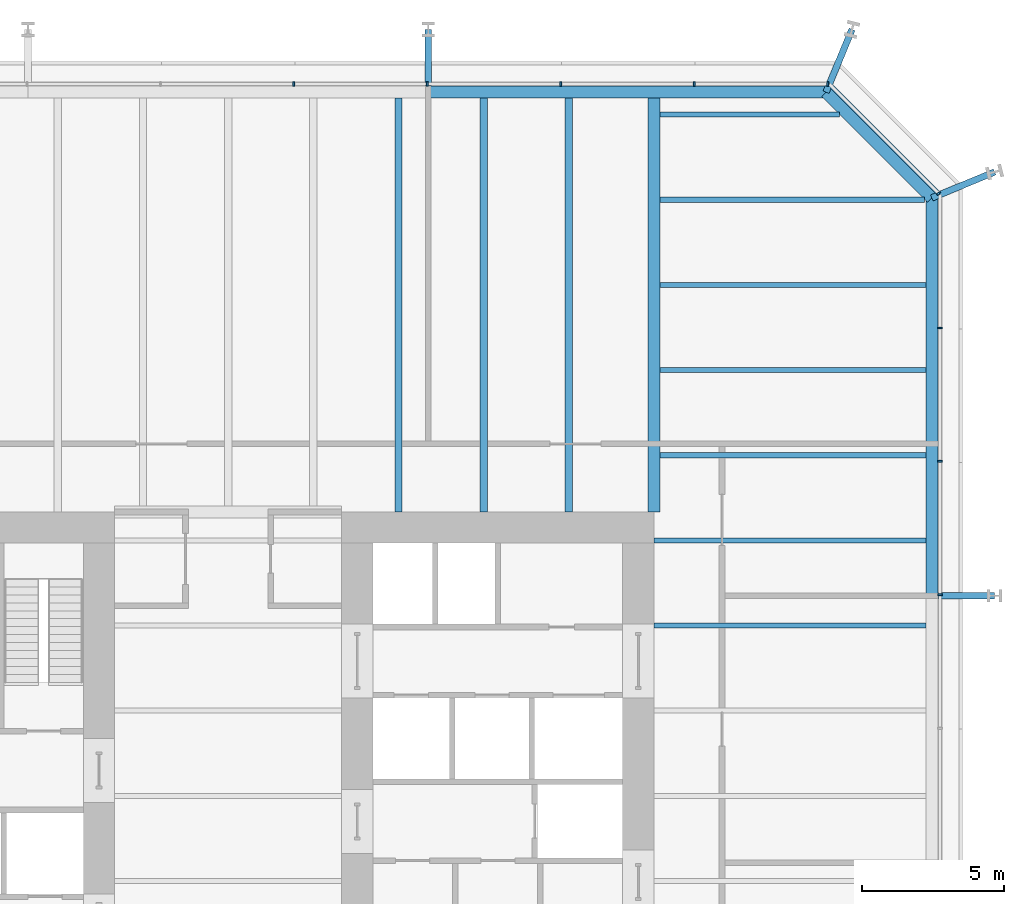
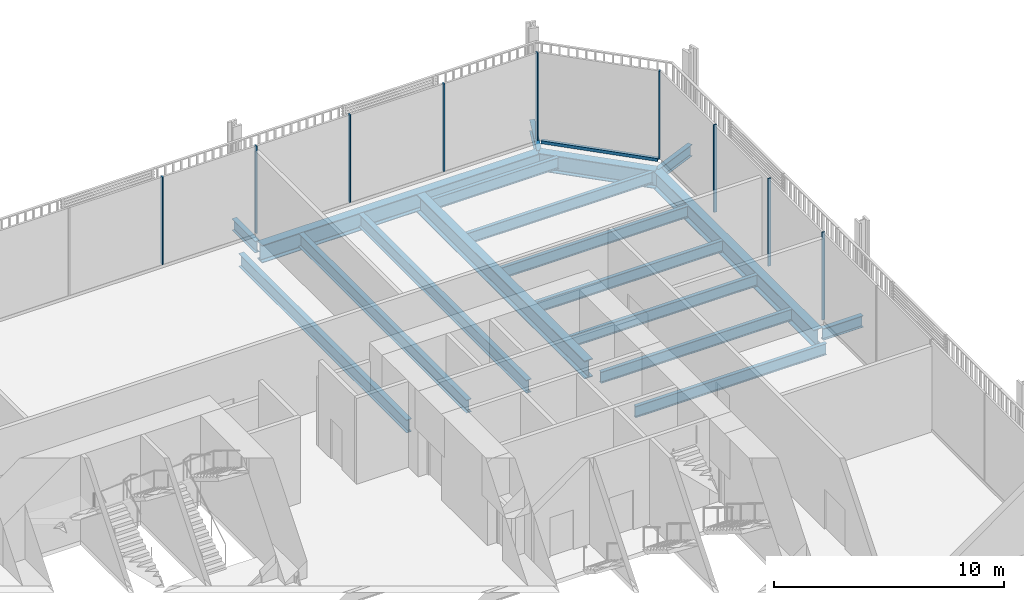
# One storey, part 16 of 22: 18 beams, 10 members, 3 elements without a shape of their own.
"""IFC4 building model written with IfcOpenShell, lengths in metres."""

from ifc_helpers import new_model, si_unit, direction, frame, origin, origin_2d, place, context, subcontext, project, spatial, rectangle, i_section, extrude, material, layer, layer_set, material_profile, profile_set, type_object, element, aggregate, save


model = new_model("IFC4")

# Units and contexts
model_context = context("Model", 3, precision=1e-05, world=origin(), true_north=direction((0.0, 1.0)))
body_context = subcontext(model_context, "Body", "Model", "MODEL_VIEW")
ifc_project = project(units=[si_unit("LENGTHUNIT", "METRE"), si_unit("AREAUNIT", "SQUARE_METRE"), si_unit("VOLUMEUNIT", "CUBIC_METRE"), si_unit("PLANEANGLEUNIT", "RADIAN"), si_unit("MASSUNIT", "GRAM", prefix="KILO")], contexts=[model_context])

# Site, building, storey
site_placement = place(None, origin())
site = spatial("IfcSite", under=ifc_project, at=site_placement, CompositionType="ELEMENT")
building_placement = place(site_placement, origin())
building = spatial("IfcBuilding", under=site, at=building_placement, Name="Millrace Tower", CompositionType="ELEMENT")
storey_placement = place(building_placement, frame((0.0, 0.0, 59.300048828125)))
storey = spatial("IfcBuildingStorey", under=building, at=storey_placement, Name="L13", CompositionType="ELEMENT", Elevation=59.300048828125)

# Curtain wall, members
ifc_material_1 = material(Name="Aluminium and glass", Category="aluminium")
ifc_layer = layer(ifc_material_1, 0.14990234375)
ifc_layer_set = layer_set([ifc_layer], Name="Aluminium and glass")
curtain_wall_type = type_object("IfcCurtainWallType", Name="CW-2 data hall insulated curtain wall", PredefinedType="NOTDEFINED", material=ifc_layer_set)
placement = place(storey_placement, origin())
curtain_wall_1 = element("IfcCurtainWall", 1, at=placement, inside=storey, type_object=curtain_wall_type, Name="Curtain wall A-F04 L13", PredefinedType="NOTDEFINED")
ifc_material_2 = material(Name="Aluminium", Category="aluminium")
ifc_material_profile_1 = material_profile(ifc_material_2, rectangle(XDim=0.06494140625, YDim=0.14990234375, at=origin_2d()))
ifc_profile_set_1 = profile_set([ifc_material_profile_1], Name="Aluminium")
member_type_1 = type_object("IfcMemberType", Name="CW-2 data hall insulated curtain wall mullion", PredefinedType="MULLION", material=ifc_profile_set_1)
member_1_placement = place(storey_placement, frame((25.074951171875, 7.08251953125, 0.159912109375), z_axis=(0.0, 0.0, 1.0), x_axis=(0.0, 1.0, 0.0)))
member_1 = element("IfcMember", 2, at=member_1_placement, type_object=member_type_1, Name="CW2 mullion A-F04.7", PredefinedType="MULLION", context=body_context, shape_type="SweptSolid", body=[
    extrude(rectangle(XDim=0.06494140625, YDim=0.14990234375, at=origin_2d()), origin(), (0.0, 0.0, 1.0), 4.64013671875),
])
member_2_placement = place(storey_placement, frame((25.074951171875, 11.782470703125, 0.159912109375), z_axis=(0.0, 0.0, 1.0), x_axis=(0.0, 1.0, 0.0)))
member_2 = element("IfcMember", 3, at=member_2_placement, type_object=member_type_1, Name="CW2 mullion A-F04.8", PredefinedType="MULLION", context=body_context, shape_type="SweptSolid", body=[
    extrude(rectangle(XDim=0.06494140625, YDim=0.14990234375, at=origin_2d()), origin(), (0.0, 0.0, 1.0), 4.64013671875),
])
member_3_placement = place(storey_placement, frame((25.074951171875, 16.482421875, 0.159912109375), z_axis=(0.0, 0.0, 1.0), x_axis=(0.0, 1.0, 0.0)))
member_3 = element("IfcMember", 4, at=member_3_placement, type_object=member_type_1, Name="CW2 mullion A-F04.9", PredefinedType="MULLION", context=body_context, shape_type="SweptSolid", body=[
    extrude(rectangle(XDim=0.06494140625, YDim=0.14990234375, at=origin_2d()), origin(), (0.0, 0.0, 1.0), 4.64013671875),
])
aggregate(curtain_wall_1, [member_1, member_2, member_3])

# Curtain wall, member
curtain_wall_2 = element("IfcCurtainWall", 5, at=placement, inside=storey, type_object=curtain_wall_type, Name="Curtain wall A-F05 L13", PredefinedType="NOTDEFINED")
member_4_placement = place(storey_placement, frame((25.030029296875, 21.22607421875, 0.159912109375), z_axis=(0.0, 0.0, 1.0), x_axis=(-0.707106781187, 0.707106781187, 0.0)))
member_4 = element("IfcMember", 6, at=member_4_placement, type_object=member_type_1, Name="CW2 mullion A-F05.1", PredefinedType="MULLION", context=body_context, shape_type="SweptSolid", body=[
    extrude(rectangle(XDim=0.06494140625, YDim=0.14990234375, at=origin_2d()), origin(), (0.0, 0.0, 1.0), 4.64013671875),
])

# Curtain wall, members
curtain_wall_3 = element("IfcCurtainWall", 7, at=placement, inside=storey, type_object=curtain_wall_type, Name="Curtain wall A-F06 L13", PredefinedType="NOTDEFINED")
member_5_placement = place(storey_placement, frame((21.117431640625, 25.074951171875, 0.159912109375), z_axis=(0.0, 0.0, 1.0), x_axis=(-1.0, 0.0, 0.0)))
member_5 = element("IfcMember", 8, at=member_5_placement, type_object=member_type_1, Name="CW2 mullion A-F06.1", PredefinedType="MULLION", context=body_context, shape_type="SweptSolid", body=[
    extrude(rectangle(XDim=0.06494140625, YDim=0.14990234375, at=origin_2d()), origin(), (0.0, 0.0, 1.0), 4.64013671875),
])
member_6_placement = place(storey_placement, frame((16.41748046875, 25.074951171875, 0.159912109375), z_axis=(0.0, 0.0, 1.0), x_axis=(-1.0, 0.0, 0.0)))
member_6 = element("IfcMember", 9, at=member_6_placement, type_object=member_type_1, Name="CW2 mullion A-F06.2", PredefinedType="MULLION", context=body_context, shape_type="SweptSolid", body=[
    extrude(rectangle(XDim=0.06494140625, YDim=0.14990234375, at=origin_2d()), origin(), (0.0, 0.0, 1.0), 4.64013671875),
])
member_7_placement = place(storey_placement, frame((11.717529296875, 25.074951171875, 0.159912109375), z_axis=(0.0, 0.0, 1.0), x_axis=(-1.0, 0.0, 0.0)))
member_7 = element("IfcMember", 10, at=member_7_placement, type_object=member_type_1, Name="CW2 mullion A-F06.3", PredefinedType="MULLION", context=body_context, shape_type="SweptSolid", body=[
    extrude(rectangle(XDim=0.06494140625, YDim=0.14990234375, at=origin_2d()), origin(), (0.0, 0.0, 1.0), 4.64013671875),
])
member_8_placement = place(storey_placement, frame((7.017578125, 25.074951171875, 0.159912109375), z_axis=(0.0, 0.0, 1.0), x_axis=(-1.0, 0.0, 0.0)))
member_8 = element("IfcMember", 11, at=member_8_placement, type_object=member_type_1, Name="CW2 mullion A-F06.4", PredefinedType="MULLION", context=body_context, shape_type="SweptSolid", body=[
    extrude(rectangle(XDim=0.06494140625, YDim=0.14990234375, at=origin_2d()), origin(), (0.0, 0.0, 1.0), 4.64013671875),
])
member_9_placement = place(storey_placement, frame((2.3173828125, 25.074951171875, 0.159912109375), z_axis=(0.0, 0.0, 1.0), x_axis=(-1.0, 0.0, 0.0)))
member_9 = element("IfcMember", 12, at=member_9_placement, type_object=member_type_1, Name="CW2 mullion A-F06.5", PredefinedType="MULLION", context=body_context, shape_type="SweptSolid", body=[
    extrude(rectangle(XDim=0.06494140625, YDim=0.14990234375, at=origin_2d()), origin(), (0.0, 0.0, 1.0), 4.64013671875),
])
aggregate(curtain_wall_3, [member_5, member_6, member_7, member_8, member_9])

# Member
ifc_material_3 = material(Name="Aluminium", Category="aluminium")
ifc_material_profile_2 = material_profile(ifc_material_3, rectangle(XDim=0.14990234375, YDim=0.159912109375, at=origin_2d()))
ifc_profile_set_2 = profile_set([ifc_material_profile_2], Name="Aluminium")
member_type_2 = type_object("IfcMemberType", Name="CW-2 data hall insulated curtain wall transom", PredefinedType="USERDEFINED", material=ifc_profile_set_2)
member_10_placement = place(storey_placement, frame((24.982421875, 21.273681640625, 0.079833984375), z_axis=(-0.707106781187, 0.707106781187, 0.0), x_axis=(-0.707106781187, -0.707106781187, 0.0)))
member_10 = element("IfcMember", 13, at=member_10_placement, type_object=member_type_2, Name="CW2 transom A-F05.1", ObjectType="TRANSOM", PredefinedType="USERDEFINED", context=body_context, shape_type="SweptSolid", body=[
    extrude(rectangle(XDim=0.14990234375, YDim=0.159912109375, at=origin_2d()), origin(), (0.0, 0.0, 1.0), 5.244873046875),
])

aggregate(curtain_wall_2, [member_4, member_10])

# Beams
ifc_material_4 = material(Name="Steel ASTM A992 Grade 50", Category="steel")
ifc_material_profile_3 = material_profile(ifc_material_4, i_section(OverallWidth=0.177978515625, OverallDepth=0.599365234375, WebThickness=0.010009765625, FlangeThickness=0.012939453125, FilletRadius=0.012939453125, at=origin_2d()))
ifc_profile_set_3 = profile_set([ifc_material_profile_3], Name="Steel ASTM A992 Grade 50")
beam_type_1 = type_object("IfcBeamType", Name="Floor beam W24x55", PredefinedType="JOIST", material=ifc_profile_set_3)
beam_1_placement = place(storey_placement, frame((15.212158203125, 24.0, -0.524658203125), z_axis=(1.0, 0.0, 0.0), x_axis=(0.0, 1.0, 0.0)))
element("IfcBeam", 14, at=beam_1_placement, inside=storey, type_object=beam_type_1, Name="BM-A-L13-S1-S041", PredefinedType="JOIST", context=body_context, shape_type="SweptSolid", body=[
    extrude(i_section(OverallWidth=0.177978515625, OverallDepth=0.599365234375, WebThickness=0.010009765625, FlangeThickness=0.012939453125, FilletRadius=0.012939453125, at=origin_2d()), origin(), (0.0, 0.0, 1.0), 6.317626953125),
])
ifc_material_5 = material(Name="Steel ASTM A992 Grade 50", Category="steel")
ifc_material_profile_4 = material_profile(ifc_material_5, i_section(OverallWidth=0.1787109375, OverallDepth=0.60205078125, WebThickness=0.010986328125, FlangeThickness=0.014892578125, FilletRadius=0.0126953125, at=origin_2d()))
ifc_profile_set_4 = profile_set([ifc_material_profile_4], Name="Steel ASTM A992 Grade 50")
beam_type_2 = type_object("IfcBeamType", Name="Floor beam W24x62", PredefinedType="JOIST", material=ifc_profile_set_4)
for number, where, z_axis, x_axis, name in (
    (15, (15.0, 6.0, -0.526123046875), (1.0, 0.0, 0.0), (0.0, 1.0, 0.0), "BM-A-L13-S1-S028"),
    (16, (15.0, 9.0, -0.526123046875), (1.0, 0.0, 0.0), (0.0, 1.0, 0.0), "BM-A-L13-S1-S031"),
):
    element("IfcBeam", number, at=place(storey_placement, frame(where, z_axis=z_axis, x_axis=x_axis)), inside=storey, type_object=beam_type_2, Name=name, PredefinedType="JOIST", context=body_context, shape_type="SweptSolid", body=[
        extrude(i_section(OverallWidth=0.1787109375, OverallDepth=0.60205078125, WebThickness=0.010986328125, FlangeThickness=0.014892578125, FilletRadius=0.0126953125, at=origin_2d()), origin(), (0.0, 0.0, 1.0), 9.578369140625),
    ])
for number, where, z_axis, x_axis, name in (
    (17, (15.212158203125, 12.0, -0.526123046875), (1.0, 0.0, 0.0), (0.0, 1.0, 0.0), "BM-A-L13-S1-S033"),
    (18, (15.212158203125, 15.0, -0.526123046875), (1.0, 0.0, 0.0), (0.0, 1.0, 0.0), "BM-A-L13-S1-S035"),
    (19, (15.212158203125, 18.0, -0.526123046875), (1.0, 0.0, 0.0), (0.0, 1.0, 0.0), "BM-A-L13-S1-S037"),
):
    element("IfcBeam", number, at=place(storey_placement, frame(where, z_axis=z_axis, x_axis=x_axis)), inside=storey, type_object=beam_type_2, Name=name, PredefinedType="JOIST", context=body_context, shape_type="SweptSolid", body=[
        extrude(i_section(OverallWidth=0.1787109375, OverallDepth=0.60205078125, WebThickness=0.010986328125, FlangeThickness=0.014892578125, FilletRadius=0.0126953125, at=origin_2d()), origin(), (0.0, 0.0, 1.0), 9.3662109375),
    ])
beam_2_placement = place(storey_placement, frame((15.212158203125, 21.0, -0.526123046875), z_axis=(1.0, 0.0, 0.0), x_axis=(0.0, 1.0, 0.0)))
element("IfcBeam", 20, at=beam_2_placement, inside=storey, type_object=beam_type_2, Name="BM-A-L13-S1-S039", PredefinedType="JOIST", context=body_context, shape_type="SweptSolid", body=[
    extrude(i_section(OverallWidth=0.1787109375, OverallDepth=0.60205078125, WebThickness=0.010986328125, FlangeThickness=0.014892578125, FilletRadius=0.0126953125, at=origin_2d()), origin(), (0.0, 0.0, 1.0), 9.317626953125),
])
ifc_material_6 = material(Name="Steel ASTM A992 Grade 50", Category="steel")
ifc_material_profile_5 = material_profile(ifc_material_6, i_section(OverallWidth=0.256591796875, OverallDepth=0.693359375, WebThickness=0.014404296875, FlangeThickness=0.023681640625, FilletRadius=0.01513671875, at=origin_2d()))
ifc_profile_set_5 = profile_set([ifc_material_profile_5], Name="Steel ASTM A992 Grade 50")
beam_type_3 = type_object("IfcBeamType", Name="Floor beam W27x114", PredefinedType="JOIST", material=ifc_profile_set_5)
for number, where, z_axis, x_axis, name in (
    (21, (6.0, 10.0, -0.57177734375), (0.0, 1.0, 0.0), (-1.0, 0.0, 0.0), "BM-A-L13-S1-S054"),
    (22, (9.0, 10.0, -0.57177734375), (0.0, 1.0, 0.0), (-1.0, 0.0, 0.0), "BM-A-L13-S1-S056"),
    (23, (12.0, 10.0, -0.57177734375), (0.0, 1.0, 0.0), (-1.0, 0.0, 0.0), "BM-A-L13-S1-S058"),
):
    element("IfcBeam", number, at=place(storey_placement, frame(where, z_axis=z_axis, x_axis=x_axis)), inside=storey, type_object=beam_type_3, Name=name, PredefinedType="JOIST", context=body_context, shape_type="SweptSolid", body=[
        extrude(i_section(OverallWidth=0.256591796875, OverallDepth=0.693359375, WebThickness=0.014404296875, FlangeThickness=0.023681640625, FilletRadius=0.01513671875, at=origin_2d()), origin(), (0.0, 0.0, 1.0), 14.578369140625),
    ])
ifc_material_7 = material(Name="Steel ASTM A992 Grade 50", Category="steel")
ifc_material_profile_6 = material_profile(ifc_material_7, i_section(OverallWidth=0.424072265625, OverallDepth=0.947509765625, WebThickness=0.02392578125, FlangeThickness=0.042724609375, FilletRadius=0.024169921875, at=origin_2d()))
ifc_profile_set_6 = profile_set([ifc_material_profile_6], Name="Steel ASTM A992 Grade 50")
beam_type_4 = type_object("IfcBeamType", Name="Girder medium span W36x302", PredefinedType="BEAM", material=ifc_profile_set_6)
beam_3_placement = place(storey_placement, frame((15.0, 10.0, -0.69873046875), z_axis=(0.0, 1.0, 0.0), x_axis=(-1.0, 0.0, 0.0)))
element("IfcBeam", 24, at=beam_3_placement, inside=storey, type_object=beam_type_4, Name="BM-A-L13-S1-G062", PredefinedType="BEAM", context=body_context, shape_type="SweptSolid", body=[
    extrude(i_section(OverallWidth=0.424072265625, OverallDepth=0.947509765625, WebThickness=0.02392578125, FlangeThickness=0.042724609375, FilletRadius=0.024169921875, at=origin_2d()), origin(), (0.0, 0.0, 1.0), 14.578369140625),
])
ifc_material_8 = material(Name="Steel ASTM A992 Grade 50", Category="steel")
ifc_material_profile_7 = material_profile(ifc_material_8, i_section(OverallWidth=0.23046875, OverallDepth=0.6171875, WebThickness=0.01318359375, FlangeThickness=0.022216796875, FilletRadius=0.012939453125, at=origin_2d()))
ifc_profile_set_7 = profile_set([ifc_material_profile_7], Name="Steel ASTM A992 Grade 50")
beam_type_5 = type_object("IfcBeamType", Name="Link beam W24x94", PredefinedType="BEAM", material=ifc_profile_set_7)
beam_4_placement = place(storey_placement, frame((7.050048828125, 25.0, -0.53369140625), z_axis=(0.0, 1.0, 0.0), x_axis=(-1.0, 0.0, 0.0)))
element("IfcBeam", 25, at=beam_4_placement, inside=storey, type_object=beam_type_5, Name="LNK-A-L13-S1-07", PredefinedType="BEAM", context=body_context, shape_type="SweptSolid", body=[
    extrude(i_section(OverallWidth=0.23046875, OverallDepth=0.6171875, WebThickness=0.01318359375, FlangeThickness=0.022216796875, FilletRadius=0.012939453125, at=origin_2d()), origin(), (0.0, 0.0, 1.0), 2.0),
])
for number, where, z_axis, x_axis, name in (
    (26, (21.062744140625, 24.7890625, -0.53369140625), (0.382673155247, 0.923883789366, 0.0), (-0.923883789366, 0.382673155247, 0.0), "LNK-A-L13-S1-08"),
    (27, (24.7890625, 21.062744140625, -0.53369140625), (0.923883789366, 0.382673155247, 0.0), (-0.382673155247, 0.923883789366, 0.0), "LNK-A-L13-S1-09"),
):
    element("IfcBeam", number, at=place(storey_placement, frame(where, z_axis=z_axis, x_axis=x_axis)), inside=storey, type_object=beam_type_5, Name=name, PredefinedType="BEAM", context=body_context, shape_type="SweptSolid", body=[
        extrude(i_section(OverallWidth=0.23046875, OverallDepth=0.6171875, WebThickness=0.01318359375, FlangeThickness=0.022216796875, FilletRadius=0.012939453125, at=origin_2d()), origin(), (0.0, 0.0, 1.0), 2.39306640625),
    ])
beam_5_placement = place(storey_placement, frame((25.0, 7.050048828125, -0.53369140625), z_axis=(1.0, 0.0, 0.0), x_axis=(0.0, 1.0, 0.0)))
element("IfcBeam", 28, at=beam_5_placement, inside=storey, type_object=beam_type_5, Name="LNK-A-L13-S1-10", PredefinedType="BEAM", context=body_context, shape_type="SweptSolid", body=[
    extrude(i_section(OverallWidth=0.23046875, OverallDepth=0.6171875, WebThickness=0.01318359375, FlangeThickness=0.022216796875, FilletRadius=0.012939453125, at=origin_2d()), origin(), (0.0, 0.0, 1.0), 2.0),
])
ifc_material_9 = material(Name="Steel ASTM A992 Grade 50", Category="steel")
ifc_material_profile_8 = material_profile(ifc_material_9, i_section(OverallWidth=0.421630859375, OverallDepth=0.937255859375, WebThickness=0.021240234375, FlangeThickness=0.03662109375, FilletRadius=0.024169921875, at=origin_2d()))
ifc_profile_set_8 = profile_set([ifc_material_profile_8], Name="Steel ASTM A992 Grade 50")
beam_type_6 = type_object("IfcBeamType", Name="Ring beam medium span W36x262", PredefinedType="SPANDREL", material=ifc_profile_set_8)
for number, where, z_axis, x_axis, name in (
    (29, (7.050048828125, 24.7890625, -0.693603515625), (1.0, 0.0, 0.0), (0.0, 1.0, 0.0), "RNG-A-L13-S1-07"),
    (30, (24.7890625, 21.062744140625, -0.693603515625), (0.0, -1.0, 0.0), (1.0, 0.0, 0.0), "RNG-A-L13-S1-09"),
):
    element("IfcBeam", number, at=place(storey_placement, frame(where, z_axis=z_axis, x_axis=x_axis)), inside=storey, type_object=beam_type_6, Name=name, PredefinedType="SPANDREL", context=body_context, shape_type="SweptSolid", body=[
        extrude(i_section(OverallWidth=0.421630859375, OverallDepth=0.937255859375, WebThickness=0.021240234375, FlangeThickness=0.03662109375, FilletRadius=0.024169921875, at=origin_2d()), origin(), (0.0, 0.0, 1.0), 14.0126953125),
    ])
ifc_material_10 = material(Name="Steel ASTM A992 Grade 50", Category="steel")
ifc_material_profile_9 = material_profile(ifc_material_10, i_section(OverallWidth=0.421630859375, OverallDepth=0.937255859375, WebThickness=0.021240234375, FlangeThickness=0.03662109375, FilletRadius=0.024169921875, at=origin_2d()))
ifc_profile_set_9 = profile_set([ifc_material_profile_9], Name="Steel ASTM A992 Grade 50")
beam_type_7 = type_object("IfcBeamType", Name="Ring beam short span W36x262", PredefinedType="SPANDREL", material=ifc_profile_set_9)
beam_6_placement = place(storey_placement, frame((21.062744140625, 24.7890625, -0.693603515625), z_axis=(0.707106781187, -0.707106781187, 0.0), x_axis=(0.707106781187, 0.707106781187, 0.0)))
element("IfcBeam", 31, at=beam_6_placement, inside=storey, type_object=beam_type_7, Name="RNG-A-L13-S1-08", PredefinedType="SPANDREL", context=body_context, shape_type="SweptSolid", body=[
    extrude(i_section(OverallWidth=0.421630859375, OverallDepth=0.937255859375, WebThickness=0.021240234375, FlangeThickness=0.03662109375, FilletRadius=0.024169921875, at=origin_2d()), origin(), (0.0, 0.0, 1.0), 5.269775390625),
])

save(model, "model.ifc")
